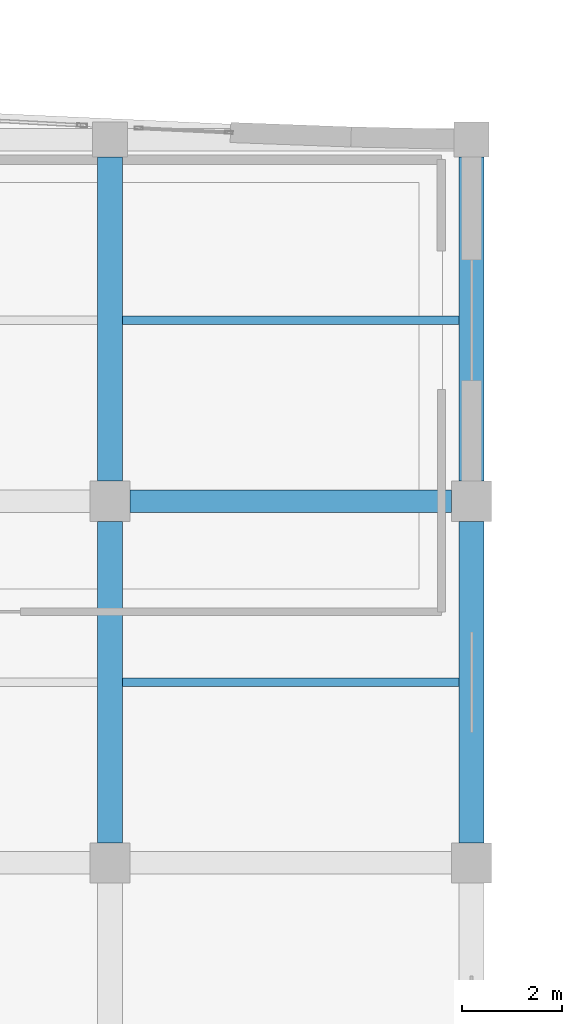
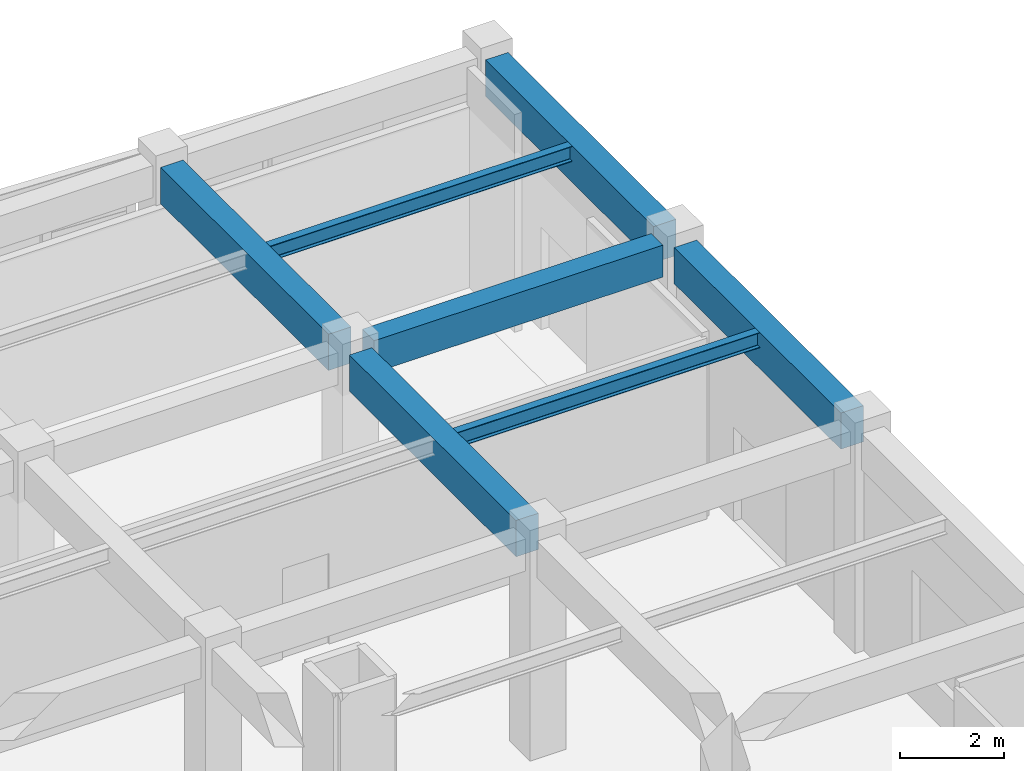
# One storey, part 59 of 102: 7 beams.
"""IFC4 building model written with IfcOpenShell, lengths in metres."""

from ifc_helpers import new_model, si_unit, direction, frame, origin, origin_2d, place, context, subcontext, project, spatial, rectangle, i_section, extrude, material, material_profile, profile_set, type_object, element, save


model = new_model("IFC4")

# Units and contexts
model_context = context("Model", 3, precision=1e-05, world=origin(), true_north=direction((0.0, 1.0)))
body_context = subcontext(model_context, "Body", "Model", "MODEL_VIEW")
ifc_project = project(units=[si_unit("LENGTHUNIT", "METRE"), si_unit("AREAUNIT", "SQUARE_METRE"), si_unit("VOLUMEUNIT", "CUBIC_METRE"), si_unit("PLANEANGLEUNIT", "RADIAN"), si_unit("MASSUNIT", "GRAM", prefix="KILO")], contexts=[model_context])

# Site, building, storey
site_placement = place(None, origin())
site = spatial("IfcSite", under=ifc_project, at=site_placement, CompositionType="ELEMENT")
building_placement = place(site_placement, origin())
building = spatial("IfcBuilding", under=site, at=building_placement, Name="Carrowvane Square Congress Hotel", CompositionType="ELEMENT")
storey_placement = place(building_placement, origin())
storey = spatial("IfcBuildingStorey", under=building, at=storey_placement, Name="L00", CompositionType="ELEMENT", Elevation=0.0)

# Beams
ifc_material_1 = material(Name="Concrete C35/45", Category="concrete")
ifc_material_profile_1 = material_profile(ifc_material_1, rectangle(XDim=0.449951171875, YDim=0.75, at=origin_2d()), Name="RC 450x750")
ifc_profile_set_1 = profile_set([ifc_material_profile_1], Name="Concrete C35/45")
beam_type_1 = type_object("IfcBeamType", Name="BM-RC-450x750", PredefinedType="USERDEFINED", material=ifc_profile_set_1)
beam_1_placement = place(storey_placement, frame((156.0, 106.199951171875, 4.72509765625), z_axis=(1.0, 0.0, 0.0), x_axis=(0.0, 1.0, 0.0)))
element("IfcBeam", 1, at=beam_1_placement, inside=storey, type_object=beam_type_1, Name="L01 girder Q/21-22", ObjectType="GIRDER", PredefinedType="USERDEFINED", context=body_context, shape_type="SweptSolid", body=[
    extrude(rectangle(XDim=0.449951171875, YDim=0.75, at=origin_2d()), origin(), (0.0, 0.0, 1.0), 6.39990234375),
])
ifc_material_2 = material(Name="Concrete C35/45", Category="concrete")
ifc_material_profile_2 = material_profile(ifc_material_2, rectangle(XDim=0.5, YDim=0.85009765625, at=origin_2d()), Name="RC 500x850")
ifc_profile_set_2 = profile_set([ifc_material_profile_2], Name="Concrete C35/45")
beam_type_2 = type_object("IfcBeamType", Name="BM-RC-500x850", PredefinedType="USERDEFINED", material=ifc_profile_set_2)
beam_2_placement = place(storey_placement, frame((155.60009765625, 99.39990234375, 4.675048828125), z_axis=(0.0, 1.0, 0.0), x_axis=(-1.0, 0.0, 0.0)))
element("IfcBeam", 2, at=beam_2_placement, inside=storey, type_object=beam_type_2, Name="L01 girder 21/P-Q", ObjectType="GIRDER", PredefinedType="USERDEFINED", context=body_context, shape_type="SweptSolid", body=[
    extrude(rectangle(XDim=0.5, YDim=0.85009765625, at=origin_2d()), origin(), (0.0, 0.0, 1.0), 6.400146484375),
])
beam_3_placement = place(storey_placement, frame((155.60009765625, 106.60009765625, 4.675048828125), z_axis=(0.0, 1.0, 0.0), x_axis=(-1.0, 0.0, 0.0)))
element("IfcBeam", 3, at=beam_3_placement, inside=storey, type_object=beam_type_2, Name="L01 girder 21/Q-R", ObjectType="GIRDER", PredefinedType="USERDEFINED", context=body_context, shape_type="SweptSolid", body=[
    extrude(rectangle(XDim=0.5, YDim=0.85009765625, at=origin_2d()), origin(), (0.0, 0.0, 1.0), 6.449951171875),
])
beam_4_placement = place(storey_placement, frame((162.800048828125, 99.39990234375, 4.675048828125), z_axis=(0.0, 1.0, 0.0), x_axis=(-1.0, 0.0, 0.0)))
element("IfcBeam", 4, at=beam_4_placement, inside=storey, type_object=beam_type_2, Name="L01 girder 22/P-Q", ObjectType="GIRDER", PredefinedType="USERDEFINED", context=body_context, shape_type="SweptSolid", body=[
    extrude(rectangle(XDim=0.5, YDim=0.85009765625, at=origin_2d()), origin(), (0.0, 0.0, 1.0), 6.400146484375),
])
beam_5_placement = place(storey_placement, frame((162.800048828125, 106.60009765625, 4.675048828125), z_axis=(0.0, 1.0, 0.0), x_axis=(-1.0, 0.0, 0.0)))
element("IfcBeam", 5, at=beam_5_placement, inside=storey, type_object=beam_type_2, Name="L01 girder 22/Q-R", ObjectType="GIRDER", PredefinedType="USERDEFINED", context=body_context, shape_type="SweptSolid", body=[
    extrude(rectangle(XDim=0.5, YDim=0.85009765625, at=origin_2d()), origin(), (0.0, 0.0, 1.0), 6.449951171875),
])
ifc_material_3 = material(Name="Steel S355", Category="steel")
ifc_material_profile_3 = material_profile(ifc_material_3, i_section(OverallWidth=0.172119140625, OverallDepth=0.35791015625, WebThickness=0.008056640625, FlangeThickness=0.012939453125, FilletRadius=0.01025390625, at=origin_2d()), Name="UKB 356x171x57")
ifc_profile_set_3 = profile_set([ifc_material_profile_3], Name="Steel S355")
beam_type_3 = type_object("IfcBeamType", Name="BM-ST-UKB356", PredefinedType="JOIST", material=ifc_profile_set_3)
for number, where, z_axis, x_axis, name in (
    (6, (155.85009765625, 102.60009765625, 4.9208984375), (1.0, 0.0, 0.0), (0.0, 1.0, 0.0), "L01 secondary joist 21-22"),
    (7, (155.85009765625, 109.800048828125, 4.9208984375), (1.0, 0.0, 0.0), (0.0, 1.0, 0.0), "L01 secondary joist 21-22"),
):
    element("IfcBeam", number, at=place(storey_placement, frame(where, z_axis=z_axis, x_axis=x_axis)), inside=storey, type_object=beam_type_3, Name=name, PredefinedType="JOIST", context=body_context, shape_type="SweptSolid", body=[
        extrude(i_section(OverallWidth=0.172119140625, OverallDepth=0.35791015625, WebThickness=0.008056640625, FlangeThickness=0.012939453125, FilletRadius=0.01025390625, at=origin_2d()), origin(), (0.0, 0.0, 1.0), 6.699951171875),
    ])

save(model, "model.ifc")
